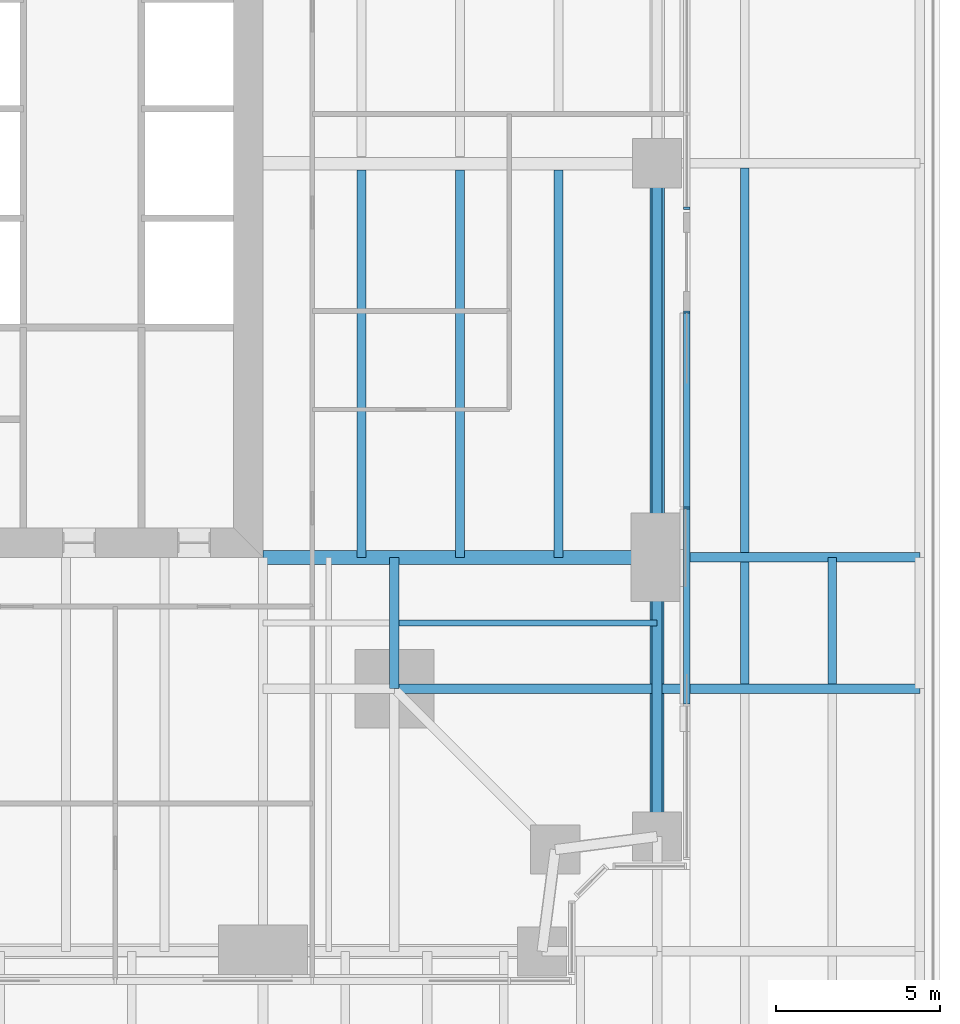
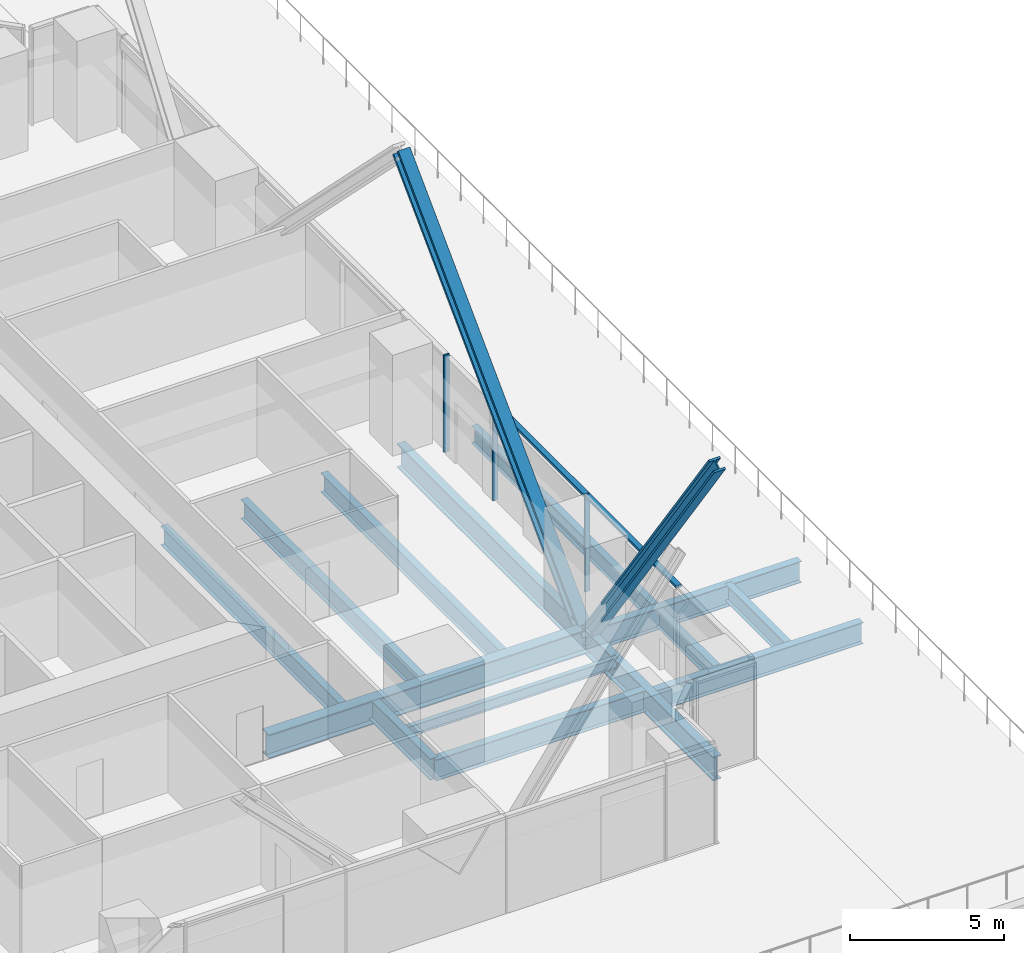
# One storey, part 5 of 21: 14 beams, 7 members, 2 elements without a shape of their own.
"""IFC4 building model written with IfcOpenShell, lengths in metres."""

from ifc_helpers import new_model, si_unit, direction, frame, origin, origin_2d, place, context, subcontext, project, spatial, rectangle, i_section, extrude, material, material_profile, profile_set, type_object, element, aggregate, save


model = new_model("IFC4")

# Units and contexts
model_context = context("Model", 3, precision=1e-05, world=origin(), true_north=direction((0.0, 1.0)))
body_context = subcontext(model_context, "Body", "Model", "MODEL_VIEW")
ifc_project = project(units=[si_unit("LENGTHUNIT", "METRE"), si_unit("AREAUNIT", "SQUARE_METRE"), si_unit("VOLUMEUNIT", "CUBIC_METRE"), si_unit("PLANEANGLEUNIT", "RADIAN"), si_unit("MASSUNIT", "GRAM", prefix="KILO")], contexts=[model_context])

# Site, building, storey
site_placement = place(None, origin())
site = spatial("IfcSite", under=ifc_project, at=site_placement, CompositionType="ELEMENT")
building_placement = place(site_placement, origin())
building = spatial("IfcBuilding", under=site, at=building_placement, Name="Fenwick Lantern Interchange", CompositionType="ELEMENT")
storey_placement = place(building_placement, frame((0.0, 0.0, 31.0)))
storey = spatial("IfcBuildingStorey", under=building, at=storey_placement, Name="L06", CompositionType="ELEMENT", Elevation=31.0)

# Beams
ifc_material_1 = material(Name="Steel ASTM A992 Grade 50", Category="steel")
ifc_material_profile_1 = material_profile(ifc_material_1, i_section(OverallWidth=0.309814453125, OverallDepth=0.949951171875, WebThickness=0.0244140625, FlangeThickness=0.0439453125, at=origin_2d()), Name="W36X256")
ifc_profile_set_1 = profile_set([ifc_material_profile_1], Name="Steel ASTM A992 Grade 50")
beam_type_1 = type_object("IfcBeamType", Name="EDGE BEAM W36X256", PredefinedType="SPANDREL", material=ifc_profile_set_1)
beam_1_placement = place(storey_placement, frame((49.0, 4.5, -0.625), z_axis=(0.0, 1.0, 0.0), x_axis=(-1.0, 0.0, 0.0)))
element("IfcBeam", 1, at=beam_1_placement, inside=storey, type_object=beam_type_1, Name="L06/FR/E/EB1", PredefinedType="SPANDREL", context=body_context, shape_type="SweptSolid", body=[
    extrude(i_section(OverallWidth=0.309814453125, OverallDepth=0.949951171875, WebThickness=0.0244140625, FlangeThickness=0.0439453125, at=origin_2d()), origin(), (0.0, 0.0, 1.0), 8.5),
])
beam_2_placement = place(storey_placement, frame((49.0, 13.0, -0.625), z_axis=(0.0, 1.0, 0.0), x_axis=(-1.0, 0.0, 0.0)))
element("IfcBeam", 2, at=beam_2_placement, inside=storey, type_object=beam_type_1, Name="L06/FR/E/EB2", PredefinedType="SPANDREL", context=body_context, shape_type="SweptSolid", body=[
    extrude(i_section(OverallWidth=0.309814453125, OverallDepth=0.949951171875, WebThickness=0.0244140625, FlangeThickness=0.0439453125, at=origin_2d()), origin(), (0.0, 0.0, 1.0), 12.0),
])

# Members
ifc_material_profile_2 = material_profile(ifc_material_1, i_section(OverallWidth=0.424072265625, OverallDepth=0.47509765625, WebThickness=0.0478515625, FlangeThickness=0.0771484375, at=origin_2d()), Name="W14X426")
ifc_profile_set_2 = profile_set([ifc_material_profile_2], Name="Steel ASTM A992 Grade 50")
member_type_1 = type_object("IfcMemberType", Name="FACADE BRACE W14X426", PredefinedType="BRACE", material=ifc_profile_set_2)
member_1_placement = place(storey_placement, frame((49.0, 13.0, -0.625), z_axis=(0.0, -0.577407021852, 0.816456447776), x_axis=(1.0, 0.0, 0.0)))
element("IfcMember", 3, at=member_1_placement, inside=storey, type_object=member_type_1, Name="L06/FB/E/AE", PredefinedType="BRACE", context=body_context, shape_type="SweptSolid", body=[
    extrude(i_section(OverallWidth=0.424072265625, OverallDepth=0.47509765625, WebThickness=0.0478515625, FlangeThickness=0.0771484375, at=origin_2d()), origin(), (0.0, 0.0, 1.0), 14.720947265625),
])
ifc_material_profile_3 = material_profile(ifc_material_1, i_section(OverallWidth=0.44189453125, OverallDepth=0.53076171875, WebThickness=0.06591796875, FlangeThickness=0.105712890625, at=origin_2d()), Name="W14X605")
ifc_profile_set_3 = profile_set([ifc_material_profile_3], Name="Steel ASTM A992 Grade 50")
member_type_2 = type_object("IfcMemberType", Name="FACADE BRACE W14X605", PredefinedType="BRACE", material=ifc_profile_set_3)
member_2_placement = place(storey_placement, frame((49.0, 13.0, -0.625), z_axis=(0.0, 0.706545945103, 0.707667172799), x_axis=(-1.0, 0.0, 0.0)))
element("IfcMember", 4, at=member_2_placement, inside=storey, type_object=member_type_2, Name="L06/FB/E/A", PredefinedType="BRACE", context=body_context, shape_type="SweptSolid", body=[
    extrude(i_section(OverallWidth=0.44189453125, OverallDepth=0.53076171875, WebThickness=0.06591796875, FlangeThickness=0.105712890625, at=origin_2d()), origin(), (0.0, 0.0, 1.0), 16.984130859375),
])

# Beams
ifc_material_profile_4 = material_profile(ifc_material_1, i_section(OverallWidth=0.2666015625, OverallDepth=0.7568359375, WebThickness=0.013916015625, FlangeThickness=0.019287109375, at=origin_2d()), Name="W30X108")
ifc_profile_set_4 = profile_set([ifc_material_profile_4], Name="Steel ASTM A992 Grade 50")
beam_type_2 = type_object("IfcBeamType", Name="FLOOR BEAM W30X108", PredefinedType="BEAM", material=ifc_profile_set_4)
for number, where, z_axis, x_axis, name in (
    (5, (46.0, 13.0, -0.528564453125), (0.0, 1.0, 0.0), (-1.0, 0.0, 0.0), "L06/FR/E/B01"),
    (6, (43.0, 13.0, -0.528564453125), (0.0, 1.0, 0.0), (-1.0, 0.0, 0.0), "L06/FR/E/B02"),
    (7, (40.0, 13.0, -0.528564453125), (0.0, 1.0, 0.0), (-1.0, 0.0, 0.0), "L06/FR/E/B03"),
):
    element("IfcBeam", number, at=place(storey_placement, frame(where, z_axis=z_axis, x_axis=x_axis)), inside=storey, type_object=beam_type_2, Name=name, PredefinedType="BEAM", context=body_context, shape_type="SweptSolid", body=[
        extrude(i_section(OverallWidth=0.2666015625, OverallDepth=0.7568359375, WebThickness=0.013916015625, FlangeThickness=0.019287109375, at=origin_2d()), origin(), (0.0, 0.0, 1.0), 11.79541015625),
    ])
ifc_material_profile_5 = material_profile(ifc_material_1, i_section(OverallWidth=0.177734375, OverallDepth=0.406494140625, WebThickness=0.0078125, FlangeThickness=0.012939453125, at=origin_2d()), Name="W16X40")
ifc_profile_set_5 = profile_set([ifc_material_profile_5], Name="Steel ASTM A992 Grade 50")
beam_type_3 = type_object("IfcBeamType", Name="INFILL BEAM W16X40", PredefinedType="JOIST", material=ifc_profile_set_5)
beam_3_placement = place(storey_placement, frame((49.0, 11.0, -0.353271484375), z_axis=(-1.0, 0.0, 0.0), x_axis=(0.0, -1.0, 0.0)))
element("IfcBeam", 8, at=beam_3_placement, inside=storey, type_object=beam_type_3, Name="L06/FR/E/J1", PredefinedType="JOIST", context=body_context, shape_type="SweptSolid", body=[
    extrude(i_section(OverallWidth=0.177734375, OverallDepth=0.406494140625, WebThickness=0.0078125, FlangeThickness=0.012939453125, at=origin_2d()), origin(), (0.0, 0.0, 1.0), 7.85400390625),
])
ifc_material_profile_6 = material_profile(ifc_material_1, i_section(OverallWidth=0.2919921875, OverallDepth=0.845703125, WebThickness=0.015380859375, FlangeThickness=0.0244140625, at=origin_2d()), Name="W33X141")
ifc_profile_set_6 = profile_set([ifc_material_profile_6], Name="Steel ASTM A992 Grade 50")
beam_type_4 = type_object("IfcBeamType", Name="MEGA COLUMN BEAM W33X141", PredefinedType="BEAM", material=ifc_profile_set_6)
beam_4_placement = place(storey_placement, frame((41.0, 9.0, -0.572998046875), z_axis=(1.0, 0.0, 0.0), x_axis=(0.0, 1.0, 0.0)))
element("IfcBeam", 9, at=beam_4_placement, inside=storey, type_object=beam_type_4, Name="L06/FR/E/MB1", PredefinedType="BEAM", context=body_context, shape_type="SweptSolid", body=[
    extrude(i_section(OverallWidth=0.2919921875, OverallDepth=0.845703125, WebThickness=0.015380859375, FlangeThickness=0.0244140625, at=origin_2d()), origin(), (0.0, 0.0, 1.0), 7.844970703125),
])
beam_5_placement = place(storey_placement, frame((41.0, 9.0, -0.572998046875), z_axis=(0.0, 1.0, 0.0), x_axis=(-1.0, 0.0, 0.0)))
element("IfcBeam", 10, at=beam_5_placement, inside=storey, type_object=beam_type_4, Name="L06/FR/E/MB3", PredefinedType="BEAM", context=body_context, shape_type="SweptSolid", body=[
    extrude(i_section(OverallWidth=0.2919921875, OverallDepth=0.845703125, WebThickness=0.015380859375, FlangeThickness=0.0244140625, at=origin_2d()), origin(), (0.0, 0.0, 1.0), 4.0),
])
ifc_material_profile_7 = material_profile(ifc_material_1, i_section(OverallWidth=0.424072265625, OverallDepth=0.947509765625, WebThickness=0.02392578125, FlangeThickness=0.042724609375, at=origin_2d()), Name="W36X302")
ifc_profile_set_7 = profile_set([ifc_material_profile_7], Name="Steel ASTM A992 Grade 50")
beam_type_5 = type_object("IfcBeamType", Name="MOMENT-CONNECTED GIRDER W36X302", PredefinedType="BEAM", material=ifc_profile_set_7)
beam_6_placement = place(storey_placement, frame((49.0, 13.0, -0.623779296875), z_axis=(-1.0, 0.0, 0.0), x_axis=(0.0, -1.0, 0.0)))
element("IfcBeam", 11, at=beam_6_placement, inside=storey, type_object=beam_type_5, Name="L06/FR/E/R01", PredefinedType="BEAM", context=body_context, shape_type="SweptSolid", body=[
    extrude(i_section(OverallWidth=0.424072265625, OverallDepth=0.947509765625, WebThickness=0.02392578125, FlangeThickness=0.042724609375, at=origin_2d()), origin(), (0.0, 0.0, 1.0), 12.0),
])
ifc_material_profile_8 = material_profile(ifc_material_1, i_section(OverallWidth=0.2919921875, OverallDepth=0.845703125, WebThickness=0.015380859375, FlangeThickness=0.0244140625, at=origin_2d()), Name="W33X141")
ifc_profile_set_8 = profile_set([ifc_material_profile_8], Name="Steel ASTM A992 Grade 50")
beam_type_6 = type_object("IfcBeamType", Name="MOMENT-CONNECTED PODIUM GIRDER W33X141", PredefinedType="BEAM", material=ifc_profile_set_8)
beam_7_placement = place(storey_placement, frame((49.155029296875, 9.0, -0.722900390625), z_axis=(1.0, 0.0, 0.0), x_axis=(0.0, 1.0, 0.0)))
element("IfcBeam", 12, at=beam_7_placement, inside=storey, type_object=beam_type_6, Name="L06/PF/G014", PredefinedType="BEAM", context=body_context, shape_type="SweptSolid", body=[
    extrude(i_section(OverallWidth=0.2919921875, OverallDepth=0.845703125, WebThickness=0.015380859375, FlangeThickness=0.0244140625, at=origin_2d()), origin(), (0.0, 0.0, 1.0), 7.844970703125),
])
beam_8_placement = place(storey_placement, frame((49.0, 13.0, -0.722900390625), z_axis=(1.0, 0.0, 0.0), x_axis=(0.0, 1.0, 0.0)))
element("IfcBeam", 13, at=beam_8_placement, inside=storey, type_object=beam_type_6, Name="L06/PF/G016", PredefinedType="BEAM", context=body_context, shape_type="SweptSolid", body=[
    extrude(i_section(OverallWidth=0.2919921875, OverallDepth=0.845703125, WebThickness=0.015380859375, FlangeThickness=0.0244140625, at=origin_2d()), origin(), (0.0, 0.0, 1.0), 8.0),
])

# Curtain wall, members
ifc_material_2 = material(Name="Aluminium curtain wall frame", Category="aluminium")
curtain_wall_type = type_object("IfcCurtainWallType", Name="OFFICE CURTAIN WALL", PredefinedType="USERDEFINED", material=ifc_material_2)
curtain_wall_1_placement = place(storey_placement, origin())
curtain_wall_1 = element("IfcCurtainWall", 14, at=curtain_wall_1_placement, inside=storey, type_object=curtain_wall_type, Name="Office curtain wall 05A", ObjectType="OFFICE CURTAIN WALL", PredefinedType="USERDEFINED")
ifc_material_3 = material(Name="Aluminium extrusion", Category="aluminium")
ifc_material_profile_9 = material_profile(ifc_material_3, rectangle(XDim=0.199951171875, YDim=0.06494140625, at=origin_2d()), Name="OFFICE CURTAIN WALL MULLION 65 X 200")
ifc_profile_set_9 = profile_set([ifc_material_profile_9], Name="Aluminium extrusion")
member_type_3 = type_object("IfcMemberType", Name="OFFICE CURTAIN WALL MULLION 65 X 200", PredefinedType="MULLION", material=ifc_profile_set_9)
member_3_placement = place(storey_placement, frame((49.89990234375, 14.5, 0.0), z_axis=(0.0, 0.0, 1.0), x_axis=(-1.0, 0.0, 0.0)))
member_3 = element("IfcMember", 15, at=member_3_placement, type_object=member_type_3, Name="L06/CW/05A/M02", PredefinedType="MULLION", context=body_context, shape_type="SweptSolid", body=[
    extrude(rectangle(XDim=0.199951171875, YDim=0.06494140625, at=origin_2d()), origin(), (0.0, 0.0, 1.0), 3.85009765625),
])
member_4_placement = place(storey_placement, frame((49.89990234375, 20.467529296875, 0.0), z_axis=(0.0, 0.0, 1.0), x_axis=(-1.0, 0.0, 0.0)))
member_4 = element("IfcMember", 16, at=member_4_placement, type_object=member_type_3, Name="L06/CW/05A/M03", PredefinedType="MULLION", context=body_context, shape_type="SweptSolid", body=[
    extrude(rectangle(XDim=0.199951171875, YDim=0.06494140625, at=origin_2d()), origin(), (0.0, 0.0, 1.0), 3.85009765625),
])

# Curtain wall, member
curtain_wall_2_placement = place(storey_placement, origin())
curtain_wall_2 = element("IfcCurtainWall", 17, at=curtain_wall_2_placement, inside=storey, type_object=curtain_wall_type, Name="Office curtain wall 05B", ObjectType="OFFICE CURTAIN WALL", PredefinedType="USERDEFINED")
member_5_placement = place(storey_placement, frame((49.89990234375, 23.632568359375, 0.0), z_axis=(0.0, 0.0, 1.0), x_axis=(-1.0, 0.0, 0.0)))
member_5 = element("IfcMember", 18, at=member_5_placement, type_object=member_type_3, Name="L06/CW/05B/M00", PredefinedType="MULLION", context=body_context, shape_type="SweptSolid", body=[
    extrude(rectangle(XDim=0.199951171875, YDim=0.06494140625, at=origin_2d()), origin(), (0.0, 0.0, 1.0), 3.85009765625),
])
aggregate(curtain_wall_2, [member_5])

# Member
ifc_material_profile_10 = material_profile(ifc_material_3, rectangle(XDim=0.199951171875, YDim=0.10009765625, at=origin_2d()), Name="OFFICE CURTAIN WALL TRANSOM 100 X 200")
ifc_profile_set_10 = profile_set([ifc_material_profile_10], Name="Aluminium extrusion")
member_type_4 = type_object("IfcMemberType", Name="OFFICE CURTAIN WALL TRANSOM 100 X 200", PredefinedType="MULLION", material=ifc_profile_set_10)
member_6_placement = place(storey_placement, frame((49.89990234375, 8.532470703125, 3.800048828125), z_axis=(0.0, 1.0, 0.0), x_axis=(-1.0, 0.0, 0.0)))
member_6 = element("IfcMember", 19, at=member_6_placement, type_object=member_type_4, Name="L06/CW/05A/T01", PredefinedType="MULLION", context=body_context, shape_type="SweptSolid", body=[
    extrude(rectangle(XDim=0.199951171875, YDim=0.10009765625, at=origin_2d()), origin(), (0.0, 0.0, 1.0), 5.93505859375),
])

member_7_placement = place(storey_placement, frame((49.89990234375, 14.532470703125, 3.800048828125), z_axis=(0.0, 1.0, 0.0), x_axis=(-1.0, 0.0, 0.0)))
member_7 = element("IfcMember", 20, at=member_7_placement, type_object=member_type_4, Name="L06/CW/05A/T02", PredefinedType="MULLION", context=body_context, shape_type="SweptSolid", body=[
    extrude(rectangle(XDim=0.199951171875, YDim=0.10009765625, at=origin_2d()), origin(), (0.0, 0.0, 1.0), 5.902587890625),
])

aggregate(curtain_wall_1, [member_3, member_4, member_6, member_7])

# Beams
ifc_material_profile_11 = material_profile(ifc_material_1, i_section(OverallWidth=0.25390625, OverallDepth=0.683349609375, WebThickness=0.012451171875, FlangeThickness=0.01904296875, at=origin_2d()), Name="W27X94")
ifc_profile_set_11 = profile_set([ifc_material_profile_11], Name="Steel ASTM A992 Grade 50")
beam_type_7 = type_object("IfcBeamType", Name="PODIUM BEAM W27X94", PredefinedType="JOIST", material=ifc_profile_set_11)
beam_9_placement = place(storey_placement, frame((51.666748046875, 9.14599609375, -0.6416015625), z_axis=(0.0, 1.0, 0.0), x_axis=(-1.0, 0.0, 0.0)))
element("IfcBeam", 21, at=beam_9_placement, inside=storey, type_object=beam_type_7, Name="L06/PF/J134", PredefinedType="JOIST", context=body_context, shape_type="SweptSolid", body=[
    extrude(i_section(OverallWidth=0.25390625, OverallDepth=0.683349609375, WebThickness=0.012451171875, FlangeThickness=0.01904296875, at=origin_2d()), origin(), (0.0, 0.0, 1.0), 3.7080078125),
])
beam_10_placement = place(storey_placement, frame((54.333251953125, 9.14599609375, -0.6416015625), z_axis=(0.0, 1.0, 0.0), x_axis=(-1.0, 0.0, 0.0)))
element("IfcBeam", 22, at=beam_10_placement, inside=storey, type_object=beam_type_7, Name="L06/PF/J135", PredefinedType="JOIST", context=body_context, shape_type="SweptSolid", body=[
    extrude(i_section(OverallWidth=0.25390625, OverallDepth=0.683349609375, WebThickness=0.012451171875, FlangeThickness=0.01904296875, at=origin_2d()), origin(), (0.0, 0.0, 1.0), 3.85400390625),
])
beam_11_placement = place(storey_placement, frame((51.666748046875, 13.14599609375, -0.6416015625), z_axis=(0.0, 1.0, 0.0), x_axis=(-1.0, 0.0, 0.0)))
element("IfcBeam", 23, at=beam_11_placement, inside=storey, type_object=beam_type_7, Name="L06/PF/J136", PredefinedType="JOIST", context=body_context, shape_type="SweptSolid", body=[
    extrude(i_section(OverallWidth=0.25390625, OverallDepth=0.683349609375, WebThickness=0.012451171875, FlangeThickness=0.01904296875, at=origin_2d()), origin(), (0.0, 0.0, 1.0), 11.7080078125),
])

save(model, "model.ifc")
